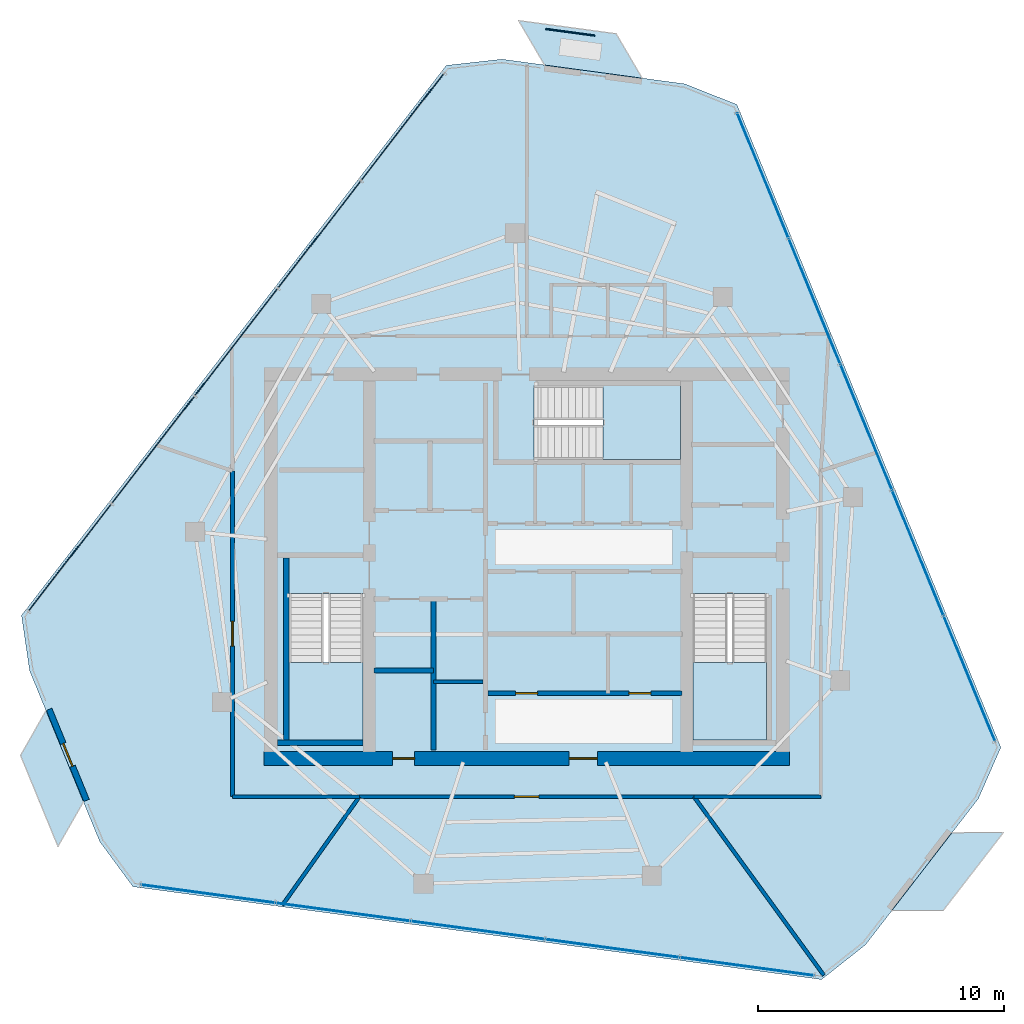
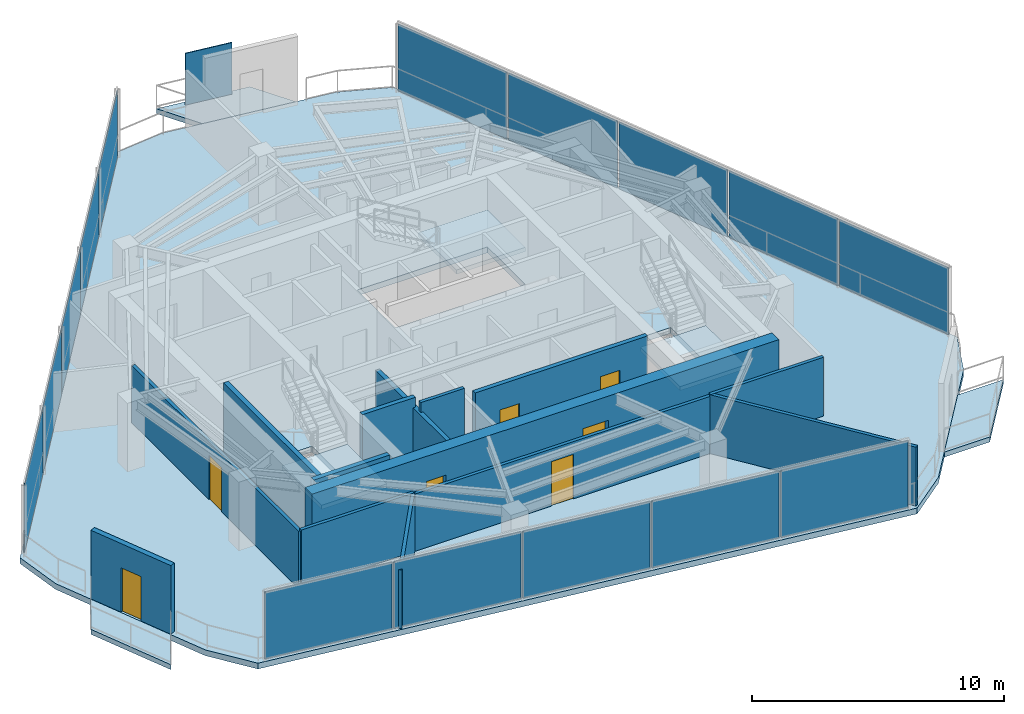
# One storey, part 14 of 19: 16 plates, 14 walls, 7 doors, 7 slabs, 7 openings, 6 elements without a shape of their own.
"""IFC4 building model written with IfcOpenShell, lengths in metres."""

from ifc_helpers import new_model, si_unit, direction, frame, frame_2d, origin, origin_2d, place, context, subcontext, project, spatial, polyline, rectangle, outline, extrude, material, layer, layer_set, type_object, element, fill, aggregate, save


model = new_model("IFC4")

# Units and contexts
model_context = context("Model", 3, precision=1e-05, world=origin(), true_north=direction((0.0, 1.0)))
body_context = subcontext(model_context, "Body", "Model", "MODEL_VIEW")
ifc_project = project(units=[si_unit("LENGTHUNIT", "METRE"), si_unit("AREAUNIT", "SQUARE_METRE"), si_unit("VOLUMEUNIT", "CUBIC_METRE"), si_unit("PLANEANGLEUNIT", "RADIAN"), si_unit("MASSUNIT", "GRAM", prefix="KILO")], contexts=[model_context])

# Site, building, storey
site_placement = place(None, origin())
site = spatial("IfcSite", under=ifc_project, at=site_placement, CompositionType="ELEMENT")
building_placement = place(site_placement, origin())
building = spatial("IfcBuilding", under=site, at=building_placement, Name="Qarnah Convention Tower", CompositionType="ELEMENT")
storey_placement = place(building_placement, frame((0.0, 0.0, 264.300048828125)))
storey = spatial("IfcBuildingStorey", under=building, at=storey_placement, Name="L71", CompositionType="ELEMENT", Elevation=264.300048828125)

# Curtain wall, plates
ifc_material_1 = material(Name="Tempered Low-E dark glass", Category="glass")
ifc_layer_1 = layer(ifc_material_1, 0.176025390625)
ifc_layer_set_1 = layer_set([ifc_layer_1], Name="Tempered Low-E dark glass")
curtain_wall_type = type_object("IfcCurtainWallType", Name="CWS-05", PredefinedType="NOTDEFINED", material=ifc_layer_set_1)
curtain_wall_1_placement = place(storey_placement, origin())
curtain_wall_1 = element("IfcCurtainWall", 1, at=curtain_wall_1_placement, inside=storey, type_object=curtain_wall_type, Name="L71 unitised curtain wall CW-L71-F1", PredefinedType="NOTDEFINED")
ifc_layer_2 = layer(ifc_material_1, 0.035888671875)
ifc_layer_set_2 = layer_set([ifc_layer_2], Name="Tempered Low-E dark glass")
plate_type_1 = type_object("IfcPlateType", Name="PNL-T5", PredefinedType="CURTAIN_PANEL", material=ifc_layer_set_2)
plate_1_placement = place(storey_placement, frame((46.793212890625, 42.2841796875, 0.0400390625), z_axis=(0.0, 0.0, 1.0), x_axis=(0.37977560806, -0.925078638561, 0.0)))
plate_1 = element("IfcPlate", 2, at=plate_1_placement, type_object=plate_type_1, Name="CW-L71-F1 curtain panel 1.1", PredefinedType="CURTAIN_PANEL", context=body_context, shape_type="SweptSolid", body=[
    extrude(rectangle(XDim=5.4453125, YDim=0.035888671875, at=origin_2d()), origin(), (0.0, 0.0, 1.0), 3.239990234375),
])
plate_2_placement = place(storey_placement, frame((48.8916015625, 37.1728515625, 0.0400390625), z_axis=(0.0, 0.0, 1.0), x_axis=(0.37977560806, -0.925078638561, 0.0)))
plate_2 = element("IfcPlate", 3, at=plate_2_placement, type_object=plate_type_1, Name="CW-L71-F1 curtain panel 2.1", PredefinedType="CURTAIN_PANEL", context=body_context, shape_type="SweptSolid", body=[
    extrude(rectangle(XDim=5.4453125, YDim=0.035888671875, at=origin_2d()), origin(), (0.0, 0.0, 1.0), 3.239990234375),
])
plate_3_placement = place(storey_placement, frame((50.989990234375, 32.0615234375, 0.0400390625), z_axis=(0.0, 0.0, 1.0), x_axis=(0.37977560806, -0.925078638561, 0.0)))
plate_3 = element("IfcPlate", 4, at=plate_3_placement, type_object=plate_type_1, Name="CW-L71-F1 curtain panel 3.1", PredefinedType="CURTAIN_PANEL", context=body_context, shape_type="SweptSolid", body=[
    extrude(rectangle(XDim=5.4453125, YDim=0.035888671875, at=origin_2d()), origin(), (0.0, 0.0, 1.0), 3.239990234375),
])
plate_4_placement = place(storey_placement, frame((53.08837890625, 26.9501953125, 0.0400390625), z_axis=(0.0, 0.0, 1.0), x_axis=(0.37977560806, -0.925078638561, 0.0)))
plate_4 = element("IfcPlate", 5, at=plate_4_placement, type_object=plate_type_1, Name="CW-L71-F1 curtain panel 4.1", PredefinedType="CURTAIN_PANEL", context=body_context, shape_type="SweptSolid", body=[
    extrude(rectangle(XDim=5.4453125, YDim=0.035888671875, at=origin_2d()), origin(), (0.0, 0.0, 1.0), 3.239990234375),
])
plate_5_placement = place(storey_placement, frame((55.186767578125, 21.838623046875, 0.0400390625), z_axis=(0.0, 0.0, 1.0), x_axis=(0.37977560806, -0.925078638561, 0.0)))
plate_5 = element("IfcPlate", 6, at=plate_5_placement, type_object=plate_type_1, Name="CW-L71-F1 curtain panel 5.1", PredefinedType="CURTAIN_PANEL", context=body_context, shape_type="SweptSolid", body=[
    extrude(rectangle(XDim=5.4453125, YDim=0.035888671875, at=origin_2d()), origin(), (0.0, 0.0, 1.0), 3.239990234375),
])
aggregate(curtain_wall_1, [plate_1, plate_2, plate_3, plate_4, plate_5])

curtain_wall_2_placement = place(storey_placement, origin())
curtain_wall_2 = element("IfcCurtainWall", 7, at=curtain_wall_2_placement, inside=storey, type_object=curtain_wall_type, Name="L71 unitised curtain wall CW-L71-F2", PredefinedType="NOTDEFINED")
plate_6_placement = place(storey_placement, frame((18.646728515625, 26.766357421875, 0.0400390625), z_axis=(0.0, 0.0, 1.0), x_axis=(0.611290898886, 0.79140598743, 0.0)))
plate_6 = element("IfcPlate", 8, at=plate_6_placement, type_object=plate_type_1, Name="CW-L71-F2 curtain panel 1.1", PredefinedType="CURTAIN_PANEL", context=body_context, shape_type="SweptSolid", body=[
    extrude(rectangle(XDim=5.4453125, YDim=0.035888671875, at=origin_2d()), origin(), (0.0, 0.0, 1.0), 3.239990234375),
])
plate_7_placement = place(storey_placement, frame((22.0244140625, 31.13916015625, 0.0400390625), z_axis=(0.0, 0.0, 1.0), x_axis=(0.611290898886, 0.79140598743, 0.0)))
plate_7 = element("IfcPlate", 9, at=plate_7_placement, type_object=plate_type_1, Name="CW-L71-F2 curtain panel 2.1", PredefinedType="CURTAIN_PANEL", context=body_context, shape_type="SweptSolid", body=[
    extrude(rectangle(XDim=5.4453125, YDim=0.035888671875, at=origin_2d()), origin(), (0.0, 0.0, 1.0), 3.239990234375),
])
plate_8_placement = place(storey_placement, frame((25.402099609375, 35.511962890625, 0.0400390625), z_axis=(0.0, 0.0, 1.0), x_axis=(0.611290898886, 0.79140598743, 0.0)))
plate_8 = element("IfcPlate", 10, at=plate_8_placement, type_object=plate_type_1, Name="CW-L71-F2 curtain panel 3.1", PredefinedType="CURTAIN_PANEL", context=body_context, shape_type="SweptSolid", body=[
    extrude(rectangle(XDim=5.4453125, YDim=0.035888671875, at=origin_2d()), origin(), (0.0, 0.0, 1.0), 3.239990234375),
])
plate_9_placement = place(storey_placement, frame((28.779541015625, 39.884765625, 0.0400390625), z_axis=(0.0, 0.0, 1.0), x_axis=(0.611290898886, 0.79140598743, 0.0)))
plate_9 = element("IfcPlate", 11, at=plate_9_placement, type_object=plate_type_1, Name="CW-L71-F2 curtain panel 4.1", PredefinedType="CURTAIN_PANEL", context=body_context, shape_type="SweptSolid", body=[
    extrude(rectangle(XDim=5.4453125, YDim=0.035888671875, at=origin_2d()), origin(), (0.0, 0.0, 1.0), 3.239990234375),
])
plate_10_placement = place(storey_placement, frame((32.1572265625, 44.257568359375, 0.0400390625), z_axis=(0.0, 0.0, 1.0), x_axis=(0.611290898886, 0.79140598743, 0.0)))
plate_10 = element("IfcPlate", 12, at=plate_10_placement, type_object=plate_type_1, Name="CW-L71-F2 curtain panel 5.1", PredefinedType="CURTAIN_PANEL", context=body_context, shape_type="SweptSolid", body=[
    extrude(rectangle(XDim=5.4453125, YDim=0.035888671875, at=origin_2d()), origin(), (0.0, 0.0, 1.0), 3.239990234375),
])
aggregate(curtain_wall_2, [plate_6, plate_7, plate_8, plate_9, plate_10])

curtain_wall_3_placement = place(storey_placement, origin())
curtain_wall_3 = element("IfcCurtainWall", 13, at=curtain_wall_3_placement, inside=storey, type_object=curtain_wall_type, Name="L71 unitised curtain wall CW-L71-F3", PredefinedType="NOTDEFINED")
plate_11_placement = place(storey_placement, frame((46.1591796875, 10.1494140625, 0.0400390625), z_axis=(0.0, 0.0, 1.0), x_axis=(-0.991025376797, 0.133673866348, 0.0)))
plate_11 = element("IfcPlate", 14, at=plate_11_placement, type_object=plate_type_1, Name="CW-L71-F3 curtain panel 1.1", PredefinedType="CURTAIN_PANEL", context=body_context, shape_type="SweptSolid", body=[
    extrude(rectangle(XDim=5.4453125, YDim=0.035888671875, at=origin_2d()), origin(), (0.0, 0.0, 1.0), 3.239990234375),
])
plate_12_placement = place(storey_placement, frame((40.683349609375, 10.887939453125, 0.0400390625), z_axis=(0.0, 0.0, 1.0), x_axis=(-0.991025376797, 0.133673866348, 0.0)))
plate_12 = element("IfcPlate", 15, at=plate_12_placement, type_object=plate_type_1, Name="CW-L71-F3 curtain panel 2.1", PredefinedType="CURTAIN_PANEL", context=body_context, shape_type="SweptSolid", body=[
    extrude(rectangle(XDim=5.4453125, YDim=0.035888671875, at=origin_2d()), origin(), (0.0, 0.0, 1.0), 3.239990234375),
])
plate_13_placement = place(storey_placement, frame((35.20751953125, 11.62646484375, 0.0400390625), z_axis=(0.0, 0.0, 1.0), x_axis=(-0.991025376797, 0.133673866348, 0.0)))
plate_13 = element("IfcPlate", 16, at=plate_13_placement, type_object=plate_type_1, Name="CW-L71-F3 curtain panel 3.1", PredefinedType="CURTAIN_PANEL", context=body_context, shape_type="SweptSolid", body=[
    extrude(rectangle(XDim=5.4453125, YDim=0.035888671875, at=origin_2d()), origin(), (0.0, 0.0, 1.0), 3.239990234375),
])
plate_14_placement = place(storey_placement, frame((29.731689453125, 12.364990234375, 0.0400390625), z_axis=(0.0, 0.0, 1.0), x_axis=(-0.991025376797, 0.133673866348, 0.0)))
plate_14 = element("IfcPlate", 17, at=plate_14_placement, type_object=plate_type_1, Name="CW-L71-F3 curtain panel 4.1", PredefinedType="CURTAIN_PANEL", context=body_context, shape_type="SweptSolid", body=[
    extrude(rectangle(XDim=5.4453125, YDim=0.035888671875, at=origin_2d()), origin(), (0.0, 0.0, 1.0), 3.239990234375),
])
plate_15_placement = place(storey_placement, frame((24.255859375, 13.103759765625, 0.0400390625), z_axis=(0.0, 0.0, 1.0), x_axis=(-0.991025376797, 0.133673866348, 0.0)))
plate_15 = element("IfcPlate", 18, at=plate_15_placement, type_object=plate_type_1, Name="CW-L71-F3 curtain panel 5.1", PredefinedType="CURTAIN_PANEL", context=body_context, shape_type="SweptSolid", body=[
    extrude(rectangle(XDim=5.4453125, YDim=0.035888671875, at=origin_2d()), origin(), (0.0, 0.0, 1.0), 3.239990234375),
])
aggregate(curtain_wall_3, [plate_11, plate_12, plate_13, plate_14, plate_15])

# Plate
ifc_material_2 = material(Name="Black anodised aluminium", Category="aluminium")
ifc_layer_3 = layer(ifc_material_2, 0.044921875)
ifc_layer_set_3 = layer_set([ifc_layer_3], Name="Black anodised aluminium")
plate_type_2 = type_object("IfcPlateType", Name="SCR-BAL-18", PredefinedType="USERDEFINED", material=ifc_layer_set_3)
plate_16_placement = place(storey_placement, frame((38.97412109375, 48.10009765625, 0.0), z_axis=(0.0, 0.0, 1.0), x_axis=(0.991014741958, -0.133752686786, 0.0)))
element("IfcPlate", 19, at=plate_16_placement, inside=storey, type_object=plate_type_2, Name="L71 perforated desert solar screen BAL-L71-C1", ObjectType="SCREEN", PredefinedType="USERDEFINED", context=body_context, shape_type="SweptSolid", body=[
    extrude(rectangle(XDim=2.0, YDim=0.044921875, at=origin_2d()), origin(), (0.0, 0.0, 1.0), 2.5),
])

# Slabs
ifc_material_3 = material(Name="Concrete C45/55", Category="concrete")
ifc_layer_4 = layer(ifc_material_3, 0.239990234375)
ifc_layer_set_4 = layer_set([ifc_layer_4], Name="Concrete C45/55")
slab_type_1 = type_object("IfcSlabType", Name="SLB-BAL-240", PredefinedType="USERDEFINED", material=ifc_layer_set_4)
slab_1_placement = place(storey_placement, frame((0.0, 0.0, -0.239990234375)))
element("IfcSlab", 20, at=slab_1_placement, inside=storey, type_object=slab_type_1, Name="L71 cantilevered balcony slab BAL-L71-C1", ObjectType="BALCONY", PredefinedType="USERDEFINED", context=body_context, shape_type="SweptSolid", body=[
    extrude(outline(polyline([(36.87109375, 48.574951171875), (40.8349609375, 48.0400390625), (41.89306640625, 46.23388671875), (37.927001953125, 46.76904296875), (36.87109375, 48.574951171875)])), origin(), (0.0, 0.0, 1.0), 0.239990234375),
])
slab_2_placement = place(storey_placement, frame((0.0, 0.0, -0.239990234375)))
element("IfcSlab", 21, at=slab_2_placement, inside=storey, type_object=slab_type_1, Name="L71 cantilevered balcony slab BAL-L71-C2", ObjectType="BALCONY", PredefinedType="USERDEFINED", context=body_context, shape_type="SweptSolid", body=[
    extrude(outline(polyline([(18.160888671875, 15.028076171875), (16.64111328125, 18.72802734375), (17.677978515625, 20.547119140625), (19.197021484375, 16.846923828125), (18.160888671875, 15.028076171875)])), origin(), (0.0, 0.0, 1.0), 0.239990234375),
])
slab_3_placement = place(storey_placement, frame((0.0, 0.0, -0.239990234375)))
element("IfcSlab", 22, at=slab_3_placement, inside=storey, type_object=slab_type_1, Name="L71 cantilevered balcony slab BAL-L71-C3", ObjectType="BALCONY", PredefinedType="USERDEFINED", context=body_context, shape_type="SweptSolid", body=[
    extrude(outline(polyline([(56.568115234375, 15.596923828125), (54.123046875, 12.431884765625), (52.030029296875, 12.419921875), (54.47509765625, 15.5859375), (56.568115234375, 15.596923828125)])), origin(), (0.0, 0.0, 1.0), 0.239990234375),
])

# Stair, slab
ifc_material_4 = material(Name="Concrete C50/60", Category="concrete")
stair_type = type_object("IfcStairType", Name="STR-OFF", PredefinedType="HALF_TURN_STAIR", material=ifc_material_4)
stair_1_placement = place(storey_placement, origin())
stair_1 = element("IfcStair", 23, at=stair_1_placement, inside=storey, type_object=stair_type, Name="L71 Core exit stair ST-1", PredefinedType="HALF_TURN_STAIR")
ifc_layer_5 = layer(ifc_material_4, 0.199951171875)
ifc_layer_set_5 = layer_set([ifc_layer_5], Name="Concrete C50/60")
slab_type_2 = type_object("IfcSlabType", Name="SLB-LANDING-200", PredefinedType="LANDING", material=ifc_layer_set_5)
slab_4_placement = place(storey_placement, frame((0.0, 0.0, 1.599853515625)))
slab_4 = element("IfcSlab", 24, at=slab_4_placement, type_object=slab_type_2, Name="ST-1 landing 1", PredefinedType="LANDING", context=body_context, shape_type="SweptSolid", body=[
    extrude(outline(polyline([(27.550048828125, 22.5), (27.550048828125, 19.35009765625), (30.550048828125, 19.35009765625), (30.550048828125, 22.5), (27.550048828125, 22.5)])), origin(), (0.0, 0.0, 1.0), 0.2001953125),
])
aggregate(stair_1, [slab_4])

stair_2_placement = place(storey_placement, origin())
stair_2 = element("IfcStair", 25, at=stair_2_placement, inside=storey, type_object=stair_type, Name="L71 Core exit stair ST-2", PredefinedType="HALF_TURN_STAIR")
slab_5_placement = place(storey_placement, frame((0.0, 0.0, 1.599853515625)))
slab_5 = element("IfcSlab", 26, at=slab_5_placement, type_object=slab_type_2, Name="ST-2 landing 1", PredefinedType="LANDING", context=body_context, shape_type="SweptSolid", body=[
    extrude(outline(polyline([(43.949951171875, 22.5), (43.949951171875, 19.35009765625), (46.949951171875, 19.35009765625), (46.949951171875, 22.5), (43.949951171875, 22.5)])), origin(), (0.0, 0.0, 1.0), 0.2001953125),
])
aggregate(stair_2, [slab_5])

stair_3_placement = place(storey_placement, origin())
stair_3 = element("IfcStair", 27, at=stair_3_placement, inside=storey, type_object=stair_type, Name="L71 Core exit stair ST-3", PredefinedType="HALF_TURN_STAIR")
slab_6_placement = place(storey_placement, frame((0.0, 0.0, 1.599853515625)))
slab_6 = element("IfcSlab", 28, at=slab_6_placement, type_object=slab_type_2, Name="ST-3 landing 1", PredefinedType="LANDING", context=body_context, shape_type="SweptSolid", body=[
    extrude(outline(polyline([(40.300048828125, 30.75), (43.449951171875, 30.75), (43.449951171875, 33.75), (40.300048828125, 33.75), (40.300048828125, 30.75)])), origin(), (0.0, 0.0, 1.0), 0.2001953125),
])
aggregate(stair_3, [slab_6])

# Slab
ifc_layer_6 = layer(ifc_material_3, 0.280029296875)
ifc_layer_set_6 = layer_set([ifc_layer_6], Name="Concrete C45/55")
slab_type_3 = type_object("IfcSlabType", Name="SLB-TWR-280", PredefinedType="FLOOR", material=ifc_layer_set_6)
slab_7_placement = place(storey_placement, frame((0.0, 0.0, -0.280029296875)))
element("IfcSlab", 29, at=slab_7_placement, inside=storey, type_object=slab_type_3, Name="L71 structural floor slab", PredefinedType="FLOOR", context=body_context, shape_type="SweptSolid", body=[
    extrude(outline(polyline([(33.93408203125, 46.7548828125), (16.679931640625, 24.416015625), (17.010009765625, 22.1630859375), (19.85693359375, 15.22802734375), (21.205078125, 13.39404296875), (49.177978515625, 9.62109375), (50.964111328125, 11.032958984375), (55.547119140625, 16.967041015625), (56.4609375, 19.051025390625), (45.740966796875, 45.1630859375), (43.6259765625, 46.00390625), (36.196044921875, 47.006103515625), (33.93408203125, 46.7548828125)]), holes=[polyline([(27.550048828125, 25.300048828125), (27.550048828125, 19.35009765625), (30.550048828125, 19.35009765625), (30.550048828125, 25.300048828125), (27.550048828125, 25.300048828125)]), polyline([(43.949951171875, 25.300048828125), (43.949951171875, 19.35009765625), (46.949951171875, 19.35009765625), (46.949951171875, 25.300048828125), (43.949951171875, 25.300048828125)]), polyline([(37.5, 30.75), (43.449951171875, 30.75), (43.449951171875, 33.75), (37.5, 33.75), (37.5, 30.75)])]), origin(), (0.0, 0.0, 1.0), 0.280029296875),
])

# Wall, openings, doors
ifc_material_5 = material(Name="Concrete C60/75", Category="concrete")
ifc_layer_7 = layer(ifc_material_5, 0.550048828125)
ifc_layer_set_7 = layer_set([ifc_layer_7], Name="Concrete C60/75")
wall_type_1 = type_object("IfcWallType", Name="WL-CORE-550", PredefinedType="SHEAR", material=ifc_layer_set_7)
wall_1_placement = place(storey_placement, frame((26.52490234375, 18.60009765625, 0.0), z_axis=(0.0, 0.0, 1.0), x_axis=(1.0, 0.0, 0.0)))
wall_1 = element("IfcWall", 30, at=wall_1_placement, inside=storey, type_object=wall_type_1, Name="L71 core south shear wall", PredefinedType="SHEAR", context=body_context, shape_type="SweptSolid", body=[
    extrude(rectangle(XDim=21.35009765625, YDim=0.550048828125, at=frame_2d((10.675048828125, 0.0))), origin(), (0.0, 0.0, 1.0), 3.320068359375),
])
opening_1_placement = place(wall_1_placement, frame((12.39990234375, 0.0, 0.0)))
opening_1 = element("IfcOpeningElement", 31, at=opening_1_placement, cuts=wall_1, Name="Opening D-7107", PredefinedType="OPENING", context=body_context, shape_type="SweptSolid", body=[
    extrude(rectangle(XDim=1.14990234375, YDim=2.14990234375, at=frame_2d((0.574951171875, 1.074951171875))), frame((0.0, 0.284912109375, 0.0), z_axis=(0.0, -1.0, 0.0), x_axis=(1.0, 0.0, 0.0)), (0.0, 0.0, 1.0), 0.570068359375),
])
opening_2_placement = place(wall_1_placement, frame((5.22509765625, 0.0, 0.0)))
opening_2 = element("IfcOpeningElement", 32, at=opening_2_placement, cuts=wall_1, Name="Opening D-7113", PredefinedType="OPENING", context=body_context, shape_type="SweptSolid", body=[
    extrude(rectangle(XDim=0.89990234375, YDim=2.10009765625, at=frame_2d((0.449951171875, 1.050048828125))), frame((0.0, 0.284912109375, 0.0), z_axis=(0.0, -1.0, 0.0), x_axis=(1.0, 0.0, 0.0)), (0.0, 0.0, 1.0), 0.570068359375),
])
ifc_material_6 = material(Name="Structural steel S355JR", Category="steel")
door_type_1 = type_object("IfcDoorType", Name="DT-LOBBY-1150", OperationType="NOTDEFINED", PredefinedType="DOOR", material=ifc_material_6)
door_1_placement = place(opening_1_placement, origin())
door_1 = element("IfcDoor", 33, at=door_1_placement, inside=storey, type_object=door_type_1, Name="Door D-7107", OperationType="SINGLE_SWING_LEFT", OverallHeight=2.14990234375, OverallWidth=1.14990234375, PredefinedType="DOOR", context=body_context, shape_type="SweptSolid", body=[
    extrude(rectangle(XDim=1.14990234375, YDim=2.14990234375, at=frame_2d((0.574951171875, 1.074951171875))), frame((0.0, 0.02490234375, 0.0), z_axis=(0.0, -1.0, 0.0), x_axis=(1.0, 0.0, 0.0)), (0.0, 0.0, 1.0), 0.050048828125),
])
fill(opening_1, door_1)
door_type_2 = type_object("IfcDoorType", Name="DT-RISER-900", OperationType="NOTDEFINED", PredefinedType="DOOR", material=ifc_material_6)
door_2_placement = place(opening_2_placement, origin())
door_2 = element("IfcDoor", 34, at=door_2_placement, inside=storey, type_object=door_type_2, Name="Door D-7113", OperationType="SINGLE_SWING_LEFT", OverallHeight=2.10009765625, OverallWidth=0.89990234375, PredefinedType="DOOR", context=body_context, shape_type="SweptSolid", body=[
    extrude(rectangle(XDim=0.89990234375, YDim=2.10009765625, at=frame_2d((0.449951171875, 1.050048828125))), frame((0.0, 0.02490234375, 0.0), z_axis=(0.0, -1.0, 0.0), x_axis=(1.0, 0.0, 0.0)), (0.0, 0.0, 1.0), 0.050048828125),
])
fill(opening_2, door_2)

# Walls
ifc_layer_8 = layer(ifc_material_3, 0.199951171875)
ifc_layer_set_8 = layer_set([ifc_layer_8], Name="Concrete C45/55")
wall_type_2 = type_object("IfcWallType", Name="WL-CORE-PART-200", PredefinedType="SOLIDWALL", material=ifc_layer_set_8)
wall_2_placement = place(storey_placement, frame((33.419921875, 18.949951171875, 0.0), z_axis=(0.0, 0.0, 1.0), x_axis=(0.0, 1.0, 0.0)))
element("IfcWall", 35, at=wall_2_placement, inside=storey, type_object=wall_type_2, Name="L71 interior wall IW-L71-SVLE", PredefinedType="SOLIDWALL", context=body_context, shape_type="SweptSolid", body=[
    extrude(rectangle(XDim=6.130126953125, YDim=0.199951171875, at=frame_2d((3.06494140625, 0.0))), origin(), (0.0, 0.0, 1.0), 2.841064453125),
])
wall_3_placement = place(storey_placement, frame((31.0, 22.179931640625, 0.0), z_axis=(0.0, 0.0, 1.0), x_axis=(1.0, 0.0, 0.0)))
element("IfcWall", 36, at=wall_3_placement, inside=storey, type_object=wall_type_2, Name="L71 interior wall IW-L71-SVLS", PredefinedType="SOLIDWALL", context=body_context, shape_type="SweptSolid", body=[
    extrude(rectangle(XDim=2.419921875, YDim=0.199951171875, at=frame_2d((1.2099609375, 0.0))), origin(), (0.0, 0.0, 1.0), 3.320068359375),
])

# Wall, openings, doors
wall_4_placement = place(storey_placement, frame((35.6201171875, 21.25, 0.0), z_axis=(0.0, 0.0, 1.0), x_axis=(1.0, 0.0, 0.0)))
wall_4 = element("IfcWall", 37, at=wall_4_placement, inside=storey, type_object=wall_type_2, Name="L71 interior wall IW-L71-PLS", PredefinedType="SOLIDWALL", context=body_context, shape_type="SweptSolid", body=[
    extrude(rectangle(XDim=7.8798828125, YDim=0.199951171875, at=frame_2d((3.93994140625, 0.0))), origin(), (0.0, 0.0, 1.0), 3.320068359375),
])
opening_3_placement = place(wall_4_placement, frame((1.1298828125, 0.0, 0.0)))
opening_3 = element("IfcOpeningElement", 38, at=opening_3_placement, cuts=wall_4, Name="Opening D-7116", PredefinedType="OPENING", context=body_context, shape_type="SweptSolid", body=[
    extrude(rectangle(XDim=0.89990234375, YDim=2.10009765625, at=frame_2d((0.449951171875, 1.050048828125))), frame((0.0, 0.10986328125, 0.0), z_axis=(0.0, -1.0, 0.0), x_axis=(1.0, 0.0, 0.0)), (0.0, 0.0, 1.0), 0.219970703125),
])
opening_4_placement = place(wall_4_placement, frame((5.72998046875, 0.0, 0.0)))
opening_4 = element("IfcOpeningElement", 39, at=opening_4_placement, cuts=wall_4, Name="Opening D-7117", PredefinedType="OPENING", context=body_context, shape_type="SweptSolid", body=[
    extrude(rectangle(XDim=0.89990234375, YDim=2.10009765625, at=frame_2d((0.449951171875, 1.050048828125))), frame((0.0, 0.10986328125, 0.0), z_axis=(0.0, -1.0, 0.0), x_axis=(1.0, 0.0, 0.0)), (0.0, 0.0, 1.0), 0.219970703125),
])
door_3_placement = place(opening_3_placement, origin())
door_3 = element("IfcDoor", 40, at=door_3_placement, inside=storey, type_object=door_type_2, Name="Door D-7116", OperationType="SINGLE_SWING_RIGHT", OverallHeight=2.10009765625, OverallWidth=0.89990234375, PredefinedType="DOOR", context=body_context, shape_type="SweptSolid", body=[
    extrude(rectangle(XDim=0.89990234375, YDim=2.10009765625, at=frame_2d((0.449951171875, 1.050048828125))), frame((0.0, 0.02490234375, 0.0), z_axis=(0.0, -1.0, 0.0), x_axis=(1.0, 0.0, 0.0)), (0.0, 0.0, 1.0), 0.050048828125),
])
fill(opening_3, door_3)
door_4_placement = place(opening_4_placement, origin())
door_4 = element("IfcDoor", 41, at=door_4_placement, inside=storey, type_object=door_type_2, Name="Door D-7117", OperationType="SINGLE_SWING_LEFT", OverallHeight=2.10009765625, OverallWidth=0.89990234375, PredefinedType="DOOR", context=body_context, shape_type="SweptSolid", body=[
    extrude(rectangle(XDim=0.89990234375, YDim=2.10009765625, at=frame_2d((0.449951171875, 1.050048828125))), frame((0.0, 0.02490234375, 0.0), z_axis=(0.0, -1.0, 0.0), x_axis=(1.0, 0.0, 0.0)), (0.0, 0.0, 1.0), 0.050048828125),
])
fill(opening_4, door_4)

# Walls
ifc_layer_9 = layer(ifc_material_5, 0.219970703125)
ifc_layer_set_9 = layer_set([ifc_layer_9], Name="Concrete C60/75")
wall_type_3 = type_object("IfcWallType", Name="WL-CORE-STAIR-220", PredefinedType="SHEAR", material=ifc_layer_set_9)
wall_5_placement = place(storey_placement, frame((27.43994140625, 19.35009765625, 0.0), z_axis=(0.0, 0.0, 1.0), x_axis=(0.0, 1.0, 0.0)))
element("IfcWall", 42, at=wall_5_placement, inside=storey, type_object=wall_type_3, Name="L71 stair shaft shear wall SW-L71-ST1W", PredefinedType="SHEAR", context=body_context, shape_type="SweptSolid", body=[
    extrude(rectangle(XDim=7.39990234375, YDim=0.219970703125, at=frame_2d((3.699951171875, 0.0))), origin(), (0.0, 0.0, 1.0), 3.320068359375),
])
wall_6_placement = place(storey_placement, frame((27.074951171875, 19.239990234375, 0.0), z_axis=(0.0, 0.0, 1.0), x_axis=(1.0, 0.0, 0.0)))
element("IfcWall", 43, at=wall_6_placement, inside=storey, type_object=wall_type_3, Name="L71 stair shaft shear wall SW-L71-ST1S", PredefinedType="SHEAR", context=body_context, shape_type="SweptSolid", body=[
    extrude(rectangle(XDim=3.47509765625, YDim=0.219970703125, at=frame_2d((1.737548828125, 0.0))), origin(), (0.0, 0.0, 1.0), 3.320068359375),
])

# Wall, opening, door
ifc_material_7 = material(Name="Precast concrete C45/55", Category="concrete")
ifc_layer_10 = layer(ifc_material_7, 0.239990234375)
ifc_layer_set_10 = layer_set([ifc_layer_10], Name="Precast concrete C45/55")
wall_type_4 = type_object("IfcWallType", Name="WL-EXT-BAL-240", PredefinedType="SOLIDWALL", material=ifc_layer_set_10)
wall_7_placement = place(storey_placement, frame((19.322021484375, 16.89892578125, 0.0), z_axis=(0.0, 0.0, 1.0), x_axis=(-0.37977335928, 0.925079561757, 0.0)))
wall_7 = element("IfcWall", 44, at=wall_7_placement, inside=storey, type_object=wall_type_4, Name="L71 loggia threshold wall BAL-L71-C2", PredefinedType="SOLIDWALL", context=body_context, shape_type="SweptSolid", body=[
    extrude(rectangle(XDim=3.999755859375, YDim=0.239990234375, at=frame_2d((2.0, 0.0))), origin(), (0.0, 0.0, 1.0), 3.320068359375),
])
opening_5_placement = place(wall_7_placement, frame((1.5, 0.0, 0.0)))
opening_5 = element("IfcOpeningElement", 45, at=opening_5_placement, cuts=wall_7, Name="Opening BD-7102", PredefinedType="OPENING", context=body_context, shape_type="SweptSolid", body=[
    extrude(rectangle(XDim=1.0, YDim=2.14990234375, at=frame_2d((0.5, 1.074951171875))), frame((0.0, 0.1298828125, 0.0), z_axis=(0.0, -1.0, 0.0), x_axis=(1.0, 0.0, 0.0)), (0.0, 0.0, 1.0), 0.260009765625),
])
door_type_3 = type_object("IfcDoorType", Name="DT-BAL-1000", OperationType="NOTDEFINED", PredefinedType="DOOR", material=ifc_material_2)
door_5_placement = place(opening_5_placement, origin())
door_5 = element("IfcDoor", 46, at=door_5_placement, inside=storey, type_object=door_type_3, Name="L71 balcony terrace door BAL-L71-C2", OperationType="SINGLE_SWING_LEFT", OverallHeight=2.14990234375, OverallWidth=1.0, PredefinedType="DOOR", context=body_context, shape_type="SweptSolid", body=[
    extrude(rectangle(XDim=1.0, YDim=2.14990234375, at=frame_2d((0.5, 1.074951171875))), frame((0.0, 0.02490234375, 0.0), z_axis=(0.0, -1.0, 0.0), x_axis=(1.0, 0.0, 0.0)), (0.0, 0.0, 1.0), 0.050048828125),
])
fill(opening_5, door_5)

# Walls
ifc_material_8 = material(Name="Gypsum partition board")
ifc_layer_11 = layer(ifc_material_8, 0.14990234375)
ifc_layer_set_11 = layer_set([ifc_layer_11], Name="Gypsum partition board")
wall_type_5 = type_object("IfcWallType", Name="WL-SUITE-150", PredefinedType="PARTITIONING", material=ifc_layer_set_11)
wall_8_placement = place(storey_placement, frame((33.419921875, 21.719970703125, 0.0), z_axis=(0.0, 0.0, 1.0), x_axis=(1.0, 0.0, 0.0)))
element("IfcWall", 47, at=wall_8_placement, inside=storey, type_object=wall_type_5, Name="L71 interior wall IW-L71-CSV1", PredefinedType="PARTITIONING", context=body_context, shape_type="SweptSolid", body=[
    extrude(rectangle(XDim=2.0, YDim=0.14990234375, at=frame_2d((1.0, 0.0))), origin(), (0.0, 0.0, 1.0), 3.320068359375),
])
wall_9_placement = place(storey_placement, frame((27.278076171875, 12.64599609375, 0.0), z_axis=(0.0, 0.0, 1.0), x_axis=(0.579171569233, 0.815205675515, 0.0)))
element("IfcWall", 48, at=wall_9_placement, inside=storey, type_object=wall_type_5, Name="L71 interior wall IW-L71-R-16", PredefinedType="PARTITIONING", context=body_context, shape_type="SweptSolid", body=[
    extrude(rectangle(XDim=5.40234375, YDim=0.14990234375, at=frame_2d((2.701171875, 0.0))), origin(), (0.0, 0.0, 1.0), 2.844970703125),
])
wall_10_placement = place(storey_placement, frame((30.406982421875, 17.050048828125, 0.0), z_axis=(0.0, 0.0, 1.0), x_axis=(-1.0, 0.0, 0.0)))
element("IfcWall", 49, at=wall_10_placement, inside=storey, type_object=wall_type_5, Name="L71 interior wall IW-L71-R-17", PredefinedType="PARTITIONING", context=body_context, shape_type="SweptSolid", body=[
    extrude(rectangle(XDim=5.156982421875, YDim=0.14990234375, at=frame_2d((2.57861328125, 0.0))), origin(), (0.0, 0.0, 1.0), 2.844970703125),
])

# Wall, opening, door
wall_11_placement = place(storey_placement, frame((25.25, 17.050048828125, 0.0), z_axis=(0.0, 0.0, 1.0), x_axis=(0.0, 1.0, 0.0)))
wall_11 = element("IfcWall", 50, at=wall_11_placement, inside=storey, type_object=wall_type_5, Name="L71 interior wall IW-L71-R-18", PredefinedType="PARTITIONING", context=body_context, shape_type="SweptSolid", body=[
    extrude(rectangle(XDim=13.23291015625, YDim=0.14990234375, at=frame_2d((6.616455078125, 0.0))), origin(), (0.0, 0.0, 1.0), 2.76904296875),
])
opening_6_placement = place(wall_11_placement, frame((6.115966796875, 0.0, 0.0)))
opening_6 = element("IfcOpeningElement", 51, at=opening_6_placement, cuts=wall_11, Name="Opening D-7124", PredefinedType="OPENING", context=body_context, shape_type="SweptSolid", body=[
    extrude(rectangle(XDim=1.0, YDim=2.14990234375, at=frame_2d((0.5, 1.074951171875))), frame((0.0, 0.0849609375, 0.0), z_axis=(0.0, -1.0, 0.0), x_axis=(1.0, 0.0, 0.0)), (0.0, 0.0, 1.0), 0.169921875),
])
ifc_material_9 = material(Name="Oak timber veneer", Category="wood")
door_type_4 = type_object("IfcDoorType", Name="DT-OFFICE-1000", OperationType="NOTDEFINED", PredefinedType="DOOR", material=ifc_material_9)
door_6_placement = place(opening_6_placement, origin())
door_6 = element("IfcDoor", 52, at=door_6_placement, inside=storey, type_object=door_type_4, Name="Door D-7124", OperationType="SINGLE_SWING_RIGHT", OverallHeight=2.14990234375, OverallWidth=1.0, PredefinedType="DOOR", context=body_context, shape_type="SweptSolid", body=[
    extrude(rectangle(XDim=1.0, YDim=2.14990234375, at=frame_2d((0.5, 1.074951171875))), frame((0.0, 0.02490234375, 0.0), z_axis=(0.0, -1.0, 0.0), x_axis=(1.0, 0.0, 0.0)), (0.0, 0.0, 1.0), 0.050048828125),
])
fill(opening_6, door_6)

# Wall
wall_12_placement = place(storey_placement, frame((49.27001953125, 9.794921875, 0.0), z_axis=(0.0, 0.0, 1.0), x_axis=(-0.588218621491, 0.80870195581, 0.0)))
element("IfcWall", 53, at=wall_12_placement, inside=storey, type_object=wall_type_5, Name="L71 interior wall IW-L71-R-19", PredefinedType="PARTITIONING", context=body_context, shape_type="SweptSolid", body=[
    extrude(rectangle(XDim=8.971435546875, YDim=0.14990234375, at=frame_2d((4.48583984375, 0.0))), origin(), (0.0, 0.0, 1.0), 2.844970703125),
])

# Wall, opening, door
wall_13_placement = place(storey_placement, frame((43.992919921875, 17.050048828125, 0.0), z_axis=(0.0, 0.0, 1.0), x_axis=(-1.0, 0.0, 0.0)))
wall_13 = element("IfcWall", 54, at=wall_13_placement, inside=storey, type_object=wall_type_5, Name="L71 interior wall IW-L71-R-20", PredefinedType="PARTITIONING", context=body_context, shape_type="SweptSolid", body=[
    extrude(rectangle(XDim=13.5859375, YDim=0.14990234375, at=frame_2d((6.79296875, 0.0))), origin(), (0.0, 0.0, 1.0), 2.76904296875),
])
opening_7_placement = place(wall_13_placement, frame((6.29296875, 0.0, 0.0)))
opening_7 = element("IfcOpeningElement", 55, at=opening_7_placement, cuts=wall_13, Name="Opening D-7125", PredefinedType="OPENING", context=body_context, shape_type="SweptSolid", body=[
    extrude(rectangle(XDim=1.0, YDim=2.14990234375, at=frame_2d((0.5, 1.074951171875))), frame((0.0, 0.0849609375, 0.0), z_axis=(0.0, -1.0, 0.0), x_axis=(1.0, 0.0, 0.0)), (0.0, 0.0, 1.0), 0.169921875),
])
door_7_placement = place(opening_7_placement, origin())
door_7 = element("IfcDoor", 56, at=door_7_placement, inside=storey, type_object=door_type_4, Name="Door D-7125", OperationType="SINGLE_SWING_LEFT", OverallHeight=2.14990234375, OverallWidth=1.0, PredefinedType="DOOR", context=body_context, shape_type="SweptSolid", body=[
    extrude(rectangle(XDim=1.0, YDim=2.14990234375, at=frame_2d((0.5, 1.074951171875))), frame((0.0, 0.02490234375, 0.0), z_axis=(0.0, -1.0, 0.0), x_axis=(1.0, 0.0, 0.0)), (0.0, 0.0, 1.0), 0.050048828125),
])
fill(opening_7, door_7)

# Wall
wall_14_placement = place(storey_placement, frame((49.14990234375, 17.050048828125, 0.0), z_axis=(0.0, 0.0, 1.0), x_axis=(-1.0, 0.0, 0.0)))
element("IfcWall", 57, at=wall_14_placement, inside=storey, type_object=wall_type_5, Name="L71 interior wall IW-L71-R-22", PredefinedType="PARTITIONING", context=body_context, shape_type="SweptSolid", body=[
    extrude(rectangle(XDim=5.156982421875, YDim=0.14990234375, at=frame_2d((2.57861328125, 0.0))), origin(), (0.0, 0.0, 1.0), 2.844970703125),
])

save(model, "model.ifc")
